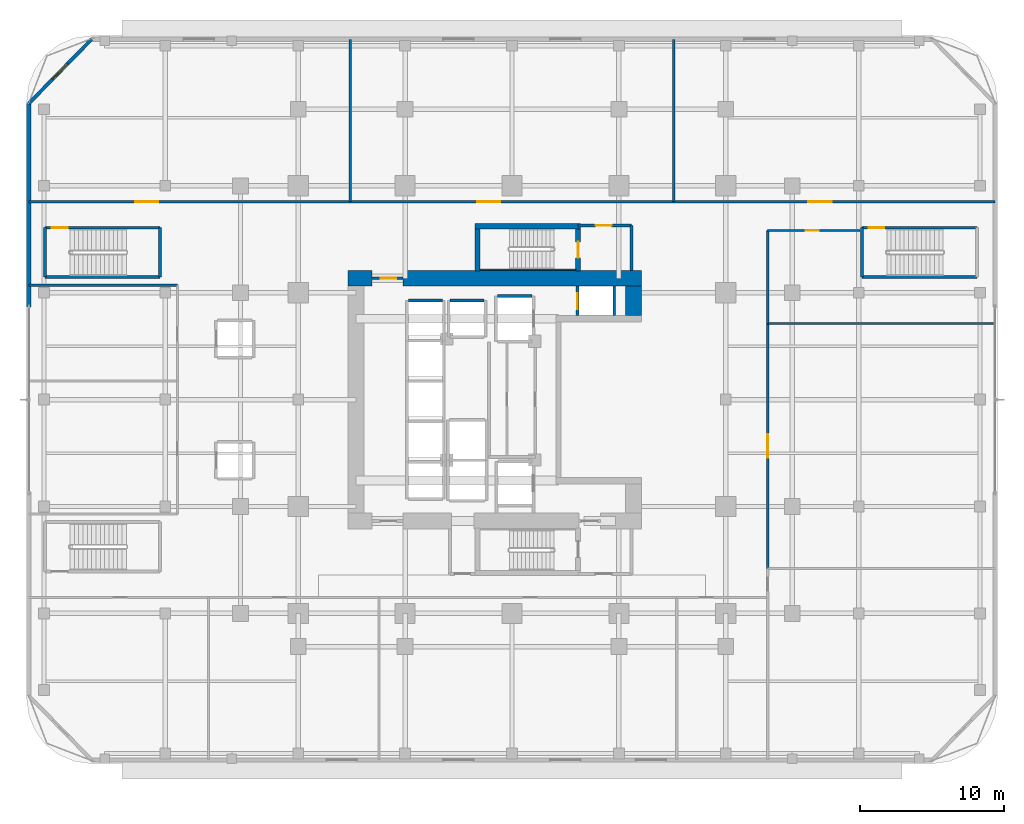
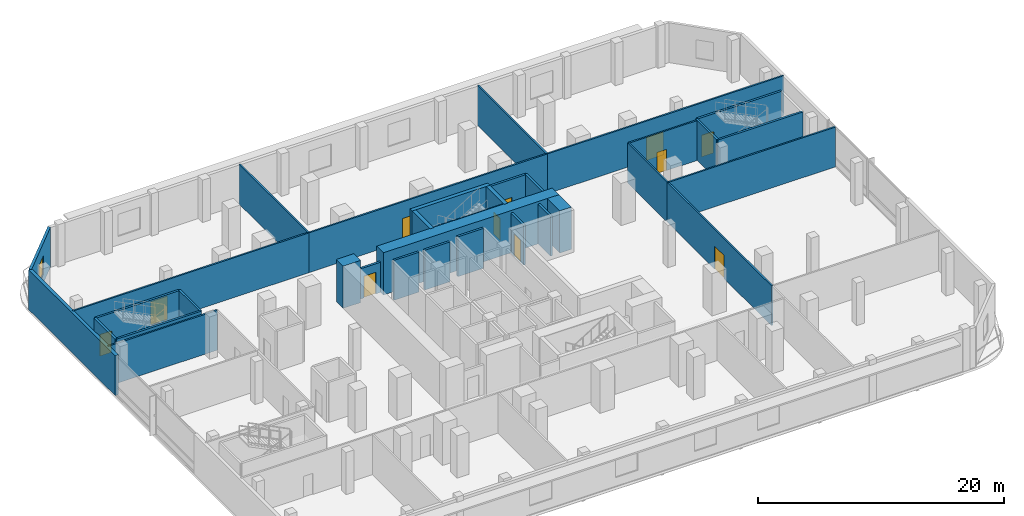
# One storey, part 10 of 19: 34 walls, 11 doors, 1 window, 12 openings.
"""IFC4 building model written with IfcOpenShell, lengths in metres."""

from ifc_helpers import new_model, si_unit, direction, frame, frame_2d, origin, place, context, subcontext, project, spatial, rectangle, extrude, material, layer, layer_set, type_object, element, fill, save


model = new_model("IFC4")

# Units and contexts
model_context = context("Model", 3, precision=1e-05, world=origin(), true_north=direction((0.0, 1.0)))
body_context = subcontext(model_context, "Body", "Model", "MODEL_VIEW")
ifc_project = project(units=[si_unit("LENGTHUNIT", "METRE"), si_unit("AREAUNIT", "SQUARE_METRE"), si_unit("VOLUMEUNIT", "CUBIC_METRE"), si_unit("PLANEANGLEUNIT", "RADIAN"), si_unit("MASSUNIT", "GRAM", prefix="KILO")], contexts=[model_context])

# Site, building, storey
site_placement = place(None, origin())
site = spatial("IfcSite", under=ifc_project, at=site_placement, CompositionType="ELEMENT")
building_placement = place(site_placement, origin())
building = spatial("IfcBuilding", under=site, at=building_placement, Name="Khorvyn Point Tower", CompositionType="ELEMENT")
storey_placement = place(building_placement, frame((0.0, 0.0, 17.39990234375)))
storey = spatial("IfcBuildingStorey", under=building, at=storey_placement, Name="L05", CompositionType="ELEMENT", Elevation=17.39990234375)

# Wall, opening, window
ifc_material_1 = material(Name="Pale anodised aluminium rainscreen on steel stud", Category="steel")
ifc_layer_1 = layer(ifc_material_1, 0.239990234375)
ifc_layer_set_1 = layer_set([ifc_layer_1], Name="Anodised Aluminium Insulated Corner Spandrel Wall 240")
wall_type_1 = type_object("IfcWallType", Name="Anodised Aluminium Insulated Corner Spandrel Wall 240", PredefinedType="SOLIDWALL", material=ifc_layer_set_1)
wall_1_placement = place(storey_placement, frame((-33.449951171875, 20.5, 0.0), z_axis=(0.0, 0.0, 1.0), x_axis=(0.69901822973, 0.715103848756, 0.0)))
wall_1 = element("IfcWall", 1, at=wall_1_placement, inside=storey, type_object=wall_type_1, Name="L05 Rounded Corner Wall NW", PredefinedType="SOLIDWALL", context=body_context, shape_type="SweptSolid", body=[
    extrude(rectangle(XDim=6.222900390625, YDim=0.239990234375, at=frame_2d((3.111328125, 0.0))), origin(), (0.0, 0.0, 1.0), 3.960205078125),
])
opening_1_placement = place(wall_1_placement, frame((2.361572265625, 0.0, 0.85009765625)))
opening_1 = element("IfcOpeningElement", 2, at=opening_1_placement, cuts=wall_1, Name="Opening WN-1518", PredefinedType="OPENING", context=body_context, shape_type="SweptSolid", body=[
    extrude(rectangle(XDim=1.5, YDim=1.85009765625, at=frame_2d((0.75, 0.925048828125))), frame((0.0, 0.1298828125, 0.0), z_axis=(0.0, -1.0, 0.0), x_axis=(1.0, 0.0, 0.0)), (0.0, 0.0, 1.0), 0.260009765625),
])
ifc_material_2 = material(Name="Anodised aluminium 6063-T6 and laminated Low-E glass", Category="aluminium")
window_type = type_object("IfcWindowType", Name="Anodised Aluminium Rounded-Corner Panoramic Window 1500x1850", PartitioningType="SINGLE_PANEL", PredefinedType="WINDOW", material=ifc_material_2)
window_placement = place(opening_1_placement, origin())
window = element("IfcWindow", 3, at=window_placement, inside=storey, type_object=window_type, Name="L05 Corner Window NW", OverallHeight=1.85009765625, OverallWidth=1.5, PartitioningType="SINGLE_PANEL", PredefinedType="WINDOW", context=body_context, shape_type="SweptSolid", body=[
    extrude(rectangle(XDim=1.5, YDim=1.85009765625, at=frame_2d((0.75, 0.925048828125))), frame((0.0, 0.030029296875, 0.0), z_axis=(0.0, -1.0, 0.0), x_axis=(1.0, 0.0, 0.0)), (0.0, 0.0, 1.0), 0.06005859375),
])
fill(opening_1, window)

# Wall, opening, door
ifc_material_3 = material(Name="Concrete C40/50", Category="concrete")
ifc_layer_2 = layer(ifc_material_3, 0.199951171875)
ifc_layer_set_2 = layer_set([ifc_layer_2], Name="Concrete C40/50 Fire-Lobby Compartment Wall 200")
wall_type_2 = type_object("IfcWallType", Name="Concrete C40/50 Fire-Lobby Compartment Wall 200", PredefinedType="SOLIDWALL", material=ifc_layer_set_2)
wall_2_placement = place(storey_placement, frame((4.580078125, 12.06005859375, 0.0), z_axis=(0.0, 0.0, 1.0), x_axis=(1.0, 0.0, 0.0)))
wall_2 = element("IfcWall", 4, at=wall_2_placement, inside=storey, type_object=wall_type_2, Name="Wall", PredefinedType="SOLIDWALL", context=body_context, shape_type="SweptSolid", body=[
    extrude(rectangle(XDim=3.699951171875, YDim=0.199951171875, at=frame_2d((1.85009765625, 0.0))), origin(), (0.0, 0.0, 1.0), 3.960205078125),
])
opening_2_placement = place(wall_2_placement, frame((1.21240234375, 0.0, 0.0)))
opening_2 = element("IfcOpeningElement", 5, at=opening_2_placement, cuts=wall_2, Name="Opening ID-FL90", PredefinedType="OPENING", context=body_context, shape_type="SweptSolid", body=[
    extrude(rectangle(XDim=1.10009765625, YDim=2.14990234375, at=frame_2d((0.550048828125, 1.074951171875))), frame((0.0, 0.10986328125, 0.0), z_axis=(0.0, -1.0, 0.0), x_axis=(1.0, 0.0, 0.0)), (0.0, 0.0, 1.0), 0.219970703125),
])
ifc_material_4 = material(Name="Galvanised powder-coated steel", Category="steel")
door_type_1 = type_object("IfcDoorType", Name="Fire-Rated Steel Lobby and Stair Door 1100x2150", OperationType="NOTDEFINED", PredefinedType="DOOR", material=ifc_material_4)
door_1_placement = place(opening_2_placement, origin())
door_1 = element("IfcDoor", 6, at=door_1_placement, inside=storey, type_object=door_type_1, Name="Door", OperationType="SINGLE_SWING_RIGHT", OverallHeight=2.14990234375, OverallWidth=1.10009765625, PredefinedType="DOOR", context=body_context, shape_type="SweptSolid", body=[
    extrude(rectangle(XDim=1.10009765625, YDim=2.14990234375, at=frame_2d((0.550048828125, 1.074951171875))), frame((0.0, 0.02490234375, 0.0), z_axis=(0.0, -1.0, 0.0), x_axis=(1.0, 0.0, 0.0)), (0.0, 0.0, 1.0), 0.050048828125),
])
fill(opening_2, door_1)

wall_3_placement = place(storey_placement, frame((-9.699951171875, 8.39990234375, 0.0), z_axis=(0.0, 0.0, 1.0), x_axis=(1.0, 0.0, 0.0)))
wall_3 = element("IfcWall", 7, at=wall_3_placement, inside=storey, type_object=wall_type_2, Name="Wall", PredefinedType="SOLIDWALL", context=body_context, shape_type="SweptSolid", body=[
    extrude(rectangle(XDim=2.14990234375, YDim=0.199951171875, at=frame_2d((1.074951171875, 0.0))), origin(), (0.0, 0.0, 1.0), 3.0),
])
opening_3_placement = place(wall_3_placement, frame((0.597900390625, 0.0, 0.0)))
opening_3 = element("IfcOpeningElement", 8, at=opening_3_placement, cuts=wall_3, Name="Opening ID-FL90", PredefinedType="OPENING", context=body_context, shape_type="SweptSolid", body=[
    extrude(rectangle(XDim=1.10009765625, YDim=2.14990234375, at=frame_2d((0.550048828125, 1.074951171875))), frame((0.0, 0.10986328125, 0.0), z_axis=(0.0, -1.0, 0.0), x_axis=(1.0, 0.0, 0.0)), (0.0, 0.0, 1.0), 0.219970703125),
])
door_2_placement = place(opening_3_placement, origin())
door_2 = element("IfcDoor", 9, at=door_2_placement, inside=storey, type_object=door_type_1, Name="Door", OperationType="SINGLE_SWING_RIGHT", OverallHeight=2.14990234375, OverallWidth=1.10009765625, PredefinedType="DOOR", context=body_context, shape_type="SweptSolid", body=[
    extrude(rectangle(XDim=1.10009765625, YDim=2.14990234375, at=frame_2d((0.550048828125, 1.074951171875))), frame((0.0, 0.02490234375, 0.0), z_axis=(0.0, -1.0, 0.0), x_axis=(1.0, 0.0, 0.0)), (0.0, 0.0, 1.0), 0.050048828125),
])
fill(opening_3, door_2)

# Walls
wall_4_placement = place(storey_placement, frame((8.280029296875, 8.949951171875, 0.0), z_axis=(0.0, 0.0, 1.0), x_axis=(0.0, 1.0, 0.0)))
element("IfcWall", 10, at=wall_4_placement, inside=storey, type_object=wall_type_2, Name="Wall", PredefinedType="SOLIDWALL", context=body_context, shape_type="SweptSolid", body=[
    extrude(rectangle(XDim=3.110107421875, YDim=0.199951171875, at=frame_2d((1.55517578125, 0.0))), origin(), (0.0, 0.0, 1.0), 3.960205078125),
])
ifc_layer_3 = layer(ifc_material_3, 0.25)
ifc_layer_set_3 = layer_set([ifc_layer_3], Name="Concrete C40/50 Stair Inner Cheek Structural Wall 250")
wall_type_3 = type_object("IfcWallType", Name="Concrete C40/50 Stair Inner Cheek Structural Wall 250", PredefinedType="SHEAR", material=ifc_layer_set_3)
wall_5_placement = place(storey_placement, frame((-2.199951171875, 8.987548828125, 0.0), z_axis=(0.0, 0.0, 1.0), x_axis=(1.0, 0.0, 0.0)))
element("IfcWall", 11, at=wall_5_placement, inside=storey, type_object=wall_type_3, Name="Wall", PredefinedType="SHEAR", context=body_context, shape_type="SweptSolid", body=[
    extrude(rectangle(XDim=6.599853515625, YDim=0.074951171875, at=frame_2d((3.2998046875, 0.0))), origin(), (0.0, 0.0, 1.0), 4.2001953125),
])
ifc_layer_4 = layer(ifc_material_3, 0.35009765625)
ifc_layer_set_4 = layer_set([ifc_layer_4], Name="Concrete C40/50 Stair Shaft Structural Wall 350")
wall_type_4 = type_object("IfcWallType", Name="Concrete C40/50 Stair Shaft Structural Wall 350", PredefinedType="SHEAR", material=ifc_layer_set_4)
wall_6_placement = place(storey_placement, frame((-2.554931640625, 12.0, 0.0), z_axis=(0.0, 0.0, 1.0), x_axis=(1.0, 0.0, 0.0)))
element("IfcWall", 12, at=wall_6_placement, inside=storey, type_object=wall_type_4, Name="L05 ST-02 North Shaft Wall", PredefinedType="SHEAR", context=body_context, shape_type="SweptSolid", body=[
    extrude(rectangle(XDim=7.309814453125, YDim=0.35009765625, at=frame_2d((3.65478515625, 0.0))), origin(), (0.0, 0.0, 1.0), 4.2001953125),
])
wall_7_placement = place(storey_placement, frame((-2.3798828125, 8.89990234375, 0.0), z_axis=(0.0, 0.0, 1.0), x_axis=(0.0, 1.0, 0.0)))
element("IfcWall", 13, at=wall_7_placement, inside=storey, type_object=wall_type_4, Name="L05 ST-02 West Shaft Wall", PredefinedType="SHEAR", context=body_context, shape_type="SweptSolid", body=[
    extrude(rectangle(XDim=2.925048828125, YDim=0.35009765625, at=frame_2d((1.46240234375, 0.0))), origin(), (0.0, 0.0, 1.0), 4.2001953125),
])

# Wall, opening, door
wall_8_placement = place(storey_placement, frame((4.580078125, 11.824951171875, 0.0), z_axis=(0.0, 0.0, 1.0), x_axis=(0.0, -1.0, 0.0)))
wall_8 = element("IfcWall", 14, at=wall_8_placement, inside=storey, type_object=wall_type_4, Name="L05 ST-02 East Landing Door Wall", PredefinedType="SHEAR", context=body_context, shape_type="SweptSolid", body=[
    extrude(rectangle(XDim=2.925048828125, YDim=0.35009765625, at=frame_2d((1.46240234375, 0.0))), origin(), (0.0, 0.0, 1.0), 4.2001953125),
])
opening_4_placement = place(wall_8_placement, frame((0.91259765625, 0.0, 0.0)))
opening_4 = element("IfcOpeningElement", 15, at=opening_4_placement, cuts=wall_8, Name="Opening ID-FL90", PredefinedType="OPENING", context=body_context, shape_type="SweptSolid", body=[
    extrude(rectangle(XDim=1.10009765625, YDim=2.14990234375, at=frame_2d((0.550048828125, 1.074951171875))), frame((0.0, 0.18505859375, 0.0), z_axis=(0.0, -1.0, 0.0), x_axis=(1.0, 0.0, 0.0)), (0.0, 0.0, 1.0), 0.3701171875),
])
door_3_placement = place(opening_4_placement, origin())
door_3 = element("IfcDoor", 16, at=door_3_placement, inside=storey, type_object=door_type_1, Name="L05 ST-02 Smokeproof Landing Door", OperationType="SINGLE_SWING_RIGHT", OverallHeight=2.14990234375, OverallWidth=1.10009765625, PredefinedType="DOOR", context=body_context, shape_type="SweptSolid", body=[
    extrude(rectangle(XDim=1.10009765625, YDim=2.14990234375, at=frame_2d((0.550048828125, 1.074951171875))), frame((0.0, 0.02490234375, 0.0), z_axis=(0.0, -1.0, 0.0), x_axis=(1.0, 0.0, 0.0)), (0.0, 0.0, 1.0), 0.050048828125),
])
fill(opening_4, door_3)

# Walls
ifc_layer_5 = layer(ifc_material_3, 0.199951171875)
ifc_layer_set_5 = layer_set([ifc_layer_5], Name="Concrete C40/50 Structural Hoistway and Stair Shaft Wall 200")
wall_type_5 = type_object("IfcWallType", Name="Concrete C40/50 Structural Hoistway and Stair Shaft Wall 200", PredefinedType="SHEAR", material=ifc_layer_set_5)
wall_9_placement = place(storey_placement, frame((-7.175048828125, 6.875, 0.0), z_axis=(0.0, 0.0, 1.0), x_axis=(1.0, 0.0, 0.0)))
element("IfcWall", 17, at=wall_9_placement, inside=storey, type_object=wall_type_5, Name="Wall", PredefinedType="SHEAR", context=body_context, shape_type="SweptSolid", body=[
    extrude(rectangle(XDim=2.35009765625, YDim=0.199951171875, at=frame_2d((1.175048828125, 0.0))), origin(), (0.0, 0.0, 1.0), 3.960205078125),
])
wall_10_placement = place(storey_placement, frame((-4.27490234375, 6.875, 0.0), z_axis=(0.0, 0.0, 1.0), x_axis=(1.0, 0.0, 0.0)))
element("IfcWall", 18, at=wall_10_placement, inside=storey, type_object=wall_type_5, Name="Wall", PredefinedType="SHEAR", context=body_context, shape_type="SweptSolid", body=[
    extrude(rectangle(XDim=2.349853515625, YDim=0.199951171875, at=frame_2d((1.1748046875, 0.0))), origin(), (0.0, 0.0, 1.0), 3.960205078125),
])
wall_11_placement = place(storey_placement, frame((-1.0, 7.175048828125, 0.0), z_axis=(0.0, 0.0, 1.0), x_axis=(1.0, 0.0, 0.0)))
element("IfcWall", 19, at=wall_11_placement, inside=storey, type_object=wall_type_5, Name="Wall", PredefinedType="SHEAR", context=body_context, shape_type="SweptSolid", body=[
    extrude(rectangle(XDim=2.39990234375, YDim=0.199951171875, at=frame_2d((1.199951171875, 0.0))), origin(), (0.0, 0.0, 1.0), 3.960205078125),
])

# Wall, opening, door
wall_12_placement = place(storey_placement, frame((4.52490234375, 5.824951171875, 0.0), z_axis=(0.0, 0.0, 1.0), x_axis=(0.0, 1.0, 0.0)))
wall_12 = element("IfcWall", 20, at=wall_12_placement, inside=storey, type_object=wall_type_5, Name="Wall", PredefinedType="SHEAR", context=body_context, shape_type="SweptSolid", body=[
    extrude(rectangle(XDim=2.025146484375, YDim=0.199951171875, at=frame_2d((1.0126953125, 0.0))), origin(), (0.0, 0.0, 1.0), 3.960205078125),
])
opening_5_placement = place(wall_12_placement, frame((0.425048828125, 0.0, 0.0)))
opening_5 = element("IfcOpeningElement", 21, at=opening_5_placement, cuts=wall_12, Name="Opening LD-1122", PredefinedType="OPENING", context=body_context, shape_type="SweptSolid", body=[
    extrude(rectangle(XDim=1.10009765625, YDim=2.199951171875, at=frame_2d((0.550048828125, 1.10009765625))), frame((0.0, 0.10986328125, 0.0), z_axis=(0.0, -1.0, 0.0), x_axis=(1.0, 0.0, 0.0)), (0.0, 0.0, 1.0), 0.219970703125),
])
ifc_material_5 = material(Name="Stainless steel 1.4301", Category="steel")
door_type_2 = type_object("IfcDoorType", Name="Stainless Steel Automatic Sliding Lift Landing Door 1100x2200", OperationType="SLIDING_TO_LEFT", PredefinedType="DOOR", material=ifc_material_5)
door_4_placement = place(opening_5_placement, origin())
door_4 = element("IfcDoor", 22, at=door_4_placement, inside=storey, type_object=door_type_2, Name="L05 FF-02 Sliding Lift Landing Door", OperationType="SLIDING_TO_LEFT", OverallHeight=2.199951171875, OverallWidth=1.10009765625, PredefinedType="DOOR", context=body_context, shape_type="SweptSolid", body=[
    extrude(rectangle(XDim=1.10009765625, YDim=2.199951171875, at=frame_2d((0.550048828125, 1.10009765625))), frame((0.0, 0.02490234375, 0.0), z_axis=(0.0, -1.0, 0.0), x_axis=(1.0, 0.0, 0.0)), (0.0, 0.0, 1.0), 0.050048828125),
])
fill(opening_5, door_4)

# Walls
wall_13_placement = place(storey_placement, frame((7.074951171875, 5.824951171875, 0.0), z_axis=(0.0, 0.0, 1.0), x_axis=(0.0, 1.0, 0.0)))
element("IfcWall", 23, at=wall_13_placement, inside=storey, type_object=wall_type_5, Name="Wall", PredefinedType="SHEAR", context=body_context, shape_type="SweptSolid", body=[
    extrude(rectangle(XDim=2.025146484375, YDim=0.199951171875, at=frame_2d((1.0126953125, 0.0))), origin(), (0.0, 0.0, 1.0), 3.960205078125),
])
for number, where, z_axis, x_axis, name in (
    (24, (-32.330078125, 8.47998046875, 0.0), (0.0, 0.0, 1.0), (0.0, 1.0, 0.0), "Wall"),
    (25, (-24.3701171875, 11.89990234375, 0.0), (0.0, 0.0, 1.0), (0.0, -1.0, 0.0), "Wall"),
):
    element("IfcWall", number, at=place(storey_placement, frame(where, z_axis=z_axis, x_axis=x_axis)), inside=storey, type_object=wall_type_5, Name=name, PredefinedType="SHEAR", context=body_context, shape_type="SweptSolid", body=[
        extrude(rectangle(XDim=3.419921875, YDim=0.199951171875, at=frame_2d((1.7099609375, 0.0))), origin(), (0.0, 0.0, 1.0), 3.960205078125),
    ])
wall_14_placement = place(storey_placement, frame((-24.3701171875, 8.47998046875, 0.0), z_axis=(0.0, 0.0, 1.0), x_axis=(-1.0, 0.0, 0.0)))
element("IfcWall", 26, at=wall_14_placement, inside=storey, type_object=wall_type_5, Name="Wall", PredefinedType="SHEAR", context=body_context, shape_type="SweptSolid", body=[
    extrude(rectangle(XDim=7.9599609375, YDim=0.199951171875, at=frame_2d((3.97998046875, 0.0))), origin(), (0.0, 0.0, 1.0), 3.960205078125),
])

# Wall, opening, door
wall_15_placement = place(storey_placement, frame((-32.330078125, 11.89990234375, 0.0), z_axis=(0.0, 0.0, 1.0), x_axis=(1.0, 0.0, 0.0)))
wall_15 = element("IfcWall", 27, at=wall_15_placement, inside=storey, type_object=wall_type_5, Name="Wall", PredefinedType="SHEAR", context=body_context, shape_type="SweptSolid", body=[
    extrude(rectangle(XDim=7.9599609375, YDim=0.199951171875, at=frame_2d((3.97998046875, 0.0))), origin(), (0.0, 0.0, 1.0), 3.960205078125),
])
opening_6_placement = place(wall_15_placement, frame((0.4599609375, 0.0, 0.0)))
opening_6 = element("IfcOpeningElement", 28, at=opening_6_placement, cuts=wall_15, Name="Opening ID-FL90", PredefinedType="OPENING", context=body_context, shape_type="SweptSolid", body=[
    extrude(rectangle(XDim=1.10009765625, YDim=2.14990234375, at=frame_2d((0.550048828125, 1.074951171875))), frame((0.0, 0.10986328125, 0.0), z_axis=(0.0, -1.0, 0.0), x_axis=(1.0, 0.0, 0.0)), (0.0, 0.0, 1.0), 0.219970703125),
])
door_5_placement = place(opening_6_placement, origin())
door_5 = element("IfcDoor", 29, at=door_5_placement, inside=storey, type_object=door_type_1, Name="L05 ST-S2 Smokeproof Landing Door", OperationType="SINGLE_SWING_RIGHT", OverallHeight=2.14990234375, OverallWidth=1.10009765625, PredefinedType="DOOR", context=body_context, shape_type="SweptSolid", body=[
    extrude(rectangle(XDim=1.10009765625, YDim=2.14990234375, at=frame_2d((0.550048828125, 1.074951171875))), frame((0.0, 0.02490234375, 0.0), z_axis=(0.0, -1.0, 0.0), x_axis=(1.0, 0.0, 0.0)), (0.0, 0.0, 1.0), 0.050048828125),
])
fill(opening_6, door_5)

# Walls
wall_16_placement = place(storey_placement, frame((24.219970703125, 8.47998046875, 0.0), z_axis=(0.0, 0.0, 1.0), x_axis=(0.0, 1.0, 0.0)))
element("IfcWall", 30, at=wall_16_placement, inside=storey, type_object=wall_type_5, Name="Wall", PredefinedType="SHEAR", context=body_context, shape_type="SweptSolid", body=[
    extrude(rectangle(XDim=3.419921875, YDim=0.199951171875, at=frame_2d((1.7099609375, 0.0))), origin(), (0.0, 0.0, 1.0), 3.960205078125),
])
wall_17_placement = place(storey_placement, frame((32.179931640625, 8.47998046875, 0.0), z_axis=(0.0, 0.0, 1.0), x_axis=(-1.0, 0.0, 0.0)))
element("IfcWall", 31, at=wall_17_placement, inside=storey, type_object=wall_type_5, Name="Wall", PredefinedType="SHEAR", context=body_context, shape_type="SweptSolid", body=[
    extrude(rectangle(XDim=7.9599609375, YDim=0.199951171875, at=frame_2d((3.97998046875, 0.0))), origin(), (0.0, 0.0, 1.0), 3.960205078125),
])

# Wall, opening, door
wall_18_placement = place(storey_placement, frame((24.219970703125, 11.89990234375, 0.0), z_axis=(0.0, 0.0, 1.0), x_axis=(1.0, 0.0, 0.0)))
wall_18 = element("IfcWall", 32, at=wall_18_placement, inside=storey, type_object=wall_type_5, Name="Wall", PredefinedType="SHEAR", context=body_context, shape_type="SweptSolid", body=[
    extrude(rectangle(XDim=7.9599609375, YDim=0.199951171875, at=frame_2d((3.97998046875, 0.0))), origin(), (0.0, 0.0, 1.0), 3.960205078125),
])
opening_7_placement = place(wall_18_placement, frame((0.4599609375, 0.0, 0.0)))
opening_7 = element("IfcOpeningElement", 33, at=opening_7_placement, cuts=wall_18, Name="Opening ID-FL90", PredefinedType="OPENING", context=body_context, shape_type="SweptSolid", body=[
    extrude(rectangle(XDim=1.10009765625, YDim=2.14990234375, at=frame_2d((0.550048828125, 1.074951171875))), frame((0.0, 0.10986328125, 0.0), z_axis=(0.0, -1.0, 0.0), x_axis=(1.0, 0.0, 0.0)), (0.0, 0.0, 1.0), 0.219970703125),
])
door_6_placement = place(opening_7_placement, origin())
door_6 = element("IfcDoor", 34, at=door_6_placement, inside=storey, type_object=door_type_1, Name="L05 ST-S3 Smokeproof Landing Door", OperationType="SINGLE_SWING_RIGHT", OverallHeight=2.14990234375, OverallWidth=1.10009765625, PredefinedType="DOOR", context=body_context, shape_type="SweptSolid", body=[
    extrude(rectangle(XDim=1.10009765625, YDim=2.14990234375, at=frame_2d((0.550048828125, 1.074951171875))), frame((0.0, 0.02490234375, 0.0), z_axis=(0.0, -1.0, 0.0), x_axis=(1.0, 0.0, 0.0)), (0.0, 0.0, 1.0), 0.050048828125),
])
fill(opening_7, door_6)

# Walls
ifc_material_6 = material(Name="Concrete C50/60", Category="concrete")
ifc_layer_6 = layer(ifc_material_6, 1.10009765625)
ifc_layer_set_6 = layer_set([ifc_layer_6], Name="Concrete C50/60 Core Shear Wall 1100")
wall_type_6 = type_object("IfcWallType", Name="Concrete C50/60 Core Shear Wall 1100", PredefinedType="SHEAR", material=ifc_layer_set_6)
wall_19_placement = place(storey_placement, frame((-11.35009765625, 8.39990234375, 0.0), z_axis=(0.0, 0.0, 1.0), x_axis=(1.0, 0.0, 0.0)))
element("IfcWall", 35, at=wall_19_placement, inside=storey, type_object=wall_type_6, Name="Wall", PredefinedType="SHEAR", context=body_context, shape_type="SweptSolid", body=[
    extrude(rectangle(XDim=1.650146484375, YDim=1.10009765625, at=frame_2d((0.8251953125, 0.0))), origin(), (0.0, 0.0, 1.0), 4.2001953125),
])
wall_20_placement = place(storey_placement, frame((-7.550048828125, 8.39990234375, 0.0), z_axis=(0.0, 0.0, 1.0), x_axis=(1.0, 0.0, 0.0)))
element("IfcWall", 36, at=wall_20_placement, inside=storey, type_object=wall_type_6, Name="Wall", PredefinedType="SHEAR", context=body_context, shape_type="SweptSolid", body=[
    extrude(rectangle(XDim=16.5, YDim=1.10009765625, at=frame_2d((8.25, 0.0))), origin(), (0.0, 0.0, 1.0), 4.2001953125),
])
wall_21_placement = place(storey_placement, frame((8.39990234375, 5.824951171875, 0.0), z_axis=(0.0, 0.0, 1.0), x_axis=(0.0, 1.0, 0.0)))
element("IfcWall", 37, at=wall_21_placement, inside=storey, type_object=wall_type_6, Name="Wall", PredefinedType="SHEAR", context=body_context, shape_type="SweptSolid", body=[
    extrude(rectangle(XDim=2.025146484375, YDim=1.10009765625, at=frame_2d((1.0126953125, 0.0))), origin(), (0.0, 0.0, 1.0), 4.2001953125),
])

# Wall, opening, door
ifc_material_7 = material(Name="Moisture-resistant gypsum and cement board", Category="gypsum")
ifc_layer_7 = layer(ifc_material_7, 0.14990234375)
ifc_layer_set_7 = layer_set([ifc_layer_7], Name="Moisture-Resistant Wet-Room Partition Wall 150")
wall_type_7 = type_object("IfcWallType", Name="Moisture-Resistant Wet-Room Partition Wall 150", PredefinedType="PARTITIONING", material=ifc_layer_set_7)
wall_22_placement = place(storey_placement, frame((-33.419921875, 13.699951171875, 0.0), z_axis=(0.0, 0.0, 1.0), x_axis=(1.0, 0.0, 0.0)))
wall_22 = element("IfcWall", 38, at=wall_22_placement, inside=storey, type_object=wall_type_7, Name="Wall", PredefinedType="PARTITIONING", context=body_context, shape_type="SweptSolid", body=[
    extrude(rectangle(XDim=22.219970703125, YDim=0.14990234375, at=frame_2d((11.10986328125, 0.0))), origin(), (0.0, 0.0, 1.0), 3.960205078125),
])
opening_8_placement = place(wall_22_placement, frame((7.345703125, 0.0, 0.0)))
opening_8 = element("IfcOpeningElement", 39, at=opening_8_placement, cuts=wall_22, Name="Opening ID-LB30", PredefinedType="OPENING", context=body_context, shape_type="SweptSolid", body=[
    extrude(rectangle(XDim=1.60009765625, YDim=2.300048828125, at=frame_2d((0.800048828125, 1.14990234375))), frame((0.0, 0.0849609375, 0.0), z_axis=(0.0, -1.0, 0.0), x_axis=(1.0, 0.0, 0.0)), (0.0, 0.0, 1.0), 0.169921875),
])
ifc_material_8 = material(Name="Anodised aluminium 6063-T6 and tempered glass", Category="aluminium")
door_type_3 = type_object("IfcDoorType", Name="Glazed Aluminium Sky-Lobby Double Swing Door 1600x2300", OperationType="DOUBLE_DOOR_SINGLE_SWING", PredefinedType="DOOR", material=ifc_material_8)
door_7_placement = place(opening_8_placement, origin())
door_7 = element("IfcDoor", 40, at=door_7_placement, inside=storey, type_object=door_type_3, Name="Door", OperationType="SINGLE_SWING_LEFT", OverallHeight=2.300048828125, OverallWidth=1.60009765625, PredefinedType="DOOR", context=body_context, shape_type="SweptSolid", body=[
    extrude(rectangle(XDim=1.60009765625, YDim=2.300048828125, at=frame_2d((0.800048828125, 1.14990234375))), frame((0.0, 0.02490234375, 0.0), z_axis=(0.0, -1.0, 0.0), x_axis=(1.0, 0.0, 0.0)), (0.0, 0.0, 1.0), 0.050048828125),
])
fill(opening_8, door_7)

wall_23_placement = place(storey_placement, frame((-11.199951171875, 13.699951171875, 0.0), z_axis=(0.0, 0.0, 1.0), x_axis=(1.0, 0.0, 0.0)))
wall_23 = element("IfcWall", 41, at=wall_23_placement, inside=storey, type_object=wall_type_7, Name="Wall", PredefinedType="PARTITIONING", context=body_context, shape_type="SweptSolid", body=[
    extrude(rectangle(XDim=22.39990234375, YDim=0.14990234375, at=frame_2d((11.199951171875, 0.0))), origin(), (0.0, 0.0, 1.0), 3.960205078125),
])
opening_9_placement = place(wall_23_placement, frame((8.783203125, 0.0, 0.0)))
opening_9 = element("IfcOpeningElement", 42, at=opening_9_placement, cuts=wall_23, Name="Opening ID-LB30", PredefinedType="OPENING", context=body_context, shape_type="SweptSolid", body=[
    extrude(rectangle(XDim=1.60009765625, YDim=2.300048828125, at=frame_2d((0.800048828125, 1.14990234375))), frame((0.0, 0.0849609375, 0.0), z_axis=(0.0, -1.0, 0.0), x_axis=(1.0, 0.0, 0.0)), (0.0, 0.0, 1.0), 0.169921875),
])
door_8_placement = place(opening_9_placement, origin())
door_8 = element("IfcDoor", 43, at=door_8_placement, inside=storey, type_object=door_type_3, Name="Door", OperationType="SINGLE_SWING_LEFT", OverallHeight=2.300048828125, OverallWidth=1.60009765625, PredefinedType="DOOR", context=body_context, shape_type="SweptSolid", body=[
    extrude(rectangle(XDim=1.60009765625, YDim=2.300048828125, at=frame_2d((0.800048828125, 1.14990234375))), frame((0.0, 0.02490234375, 0.0), z_axis=(0.0, -1.0, 0.0), x_axis=(1.0, 0.0, 0.0)), (0.0, 0.0, 1.0), 0.050048828125),
])
fill(opening_9, door_8)

wall_24_placement = place(storey_placement, frame((11.199951171875, 13.699951171875, 0.0), z_axis=(0.0, 0.0, 1.0), x_axis=(1.0, 0.0, 0.0)))
wall_24 = element("IfcWall", 44, at=wall_24_placement, inside=storey, type_object=wall_type_7, Name="Wall", PredefinedType="PARTITIONING", context=body_context, shape_type="SweptSolid", body=[
    extrude(rectangle(XDim=22.219970703125, YDim=0.14990234375, at=frame_2d((11.10986328125, 0.0))), origin(), (0.0, 0.0, 1.0), 3.960205078125),
])
opening_10_placement = place(wall_24_placement, frame((9.322021484375, 0.0, 0.0)))
opening_10 = element("IfcOpeningElement", 45, at=opening_10_placement, cuts=wall_24, Name="Opening ID-LB30", PredefinedType="OPENING", context=body_context, shape_type="SweptSolid", body=[
    extrude(rectangle(XDim=1.60009765625, YDim=2.300048828125, at=frame_2d((0.800048828125, 1.14990234375))), frame((0.0, 0.0849609375, 0.0), z_axis=(0.0, -1.0, 0.0), x_axis=(1.0, 0.0, 0.0)), (0.0, 0.0, 1.0), 0.169921875),
])
door_9_placement = place(opening_10_placement, origin())
door_9 = element("IfcDoor", 46, at=door_9_placement, inside=storey, type_object=door_type_3, Name="Door", OperationType="SINGLE_SWING_LEFT", OverallHeight=2.300048828125, OverallWidth=1.60009765625, PredefinedType="DOOR", context=body_context, shape_type="SweptSolid", body=[
    extrude(rectangle(XDim=1.60009765625, YDim=2.300048828125, at=frame_2d((0.800048828125, 1.14990234375))), frame((0.0, 0.02490234375, 0.0), z_axis=(0.0, -1.0, 0.0), x_axis=(1.0, 0.0, 0.0)), (0.0, 0.0, 1.0), 0.050048828125),
])
fill(opening_10, door_9)

wall_25_placement = place(storey_placement, frame((17.699951171875, 11.699951171875, 0.0), z_axis=(0.0, 0.0, 1.0), x_axis=(1.0, 0.0, 0.0)))
wall_25 = element("IfcWall", 47, at=wall_25_placement, inside=storey, type_object=wall_type_7, Name="Wall", PredefinedType="PARTITIONING", context=body_context, shape_type="SweptSolid", body=[
    extrude(rectangle(XDim=6.380126953125, YDim=0.14990234375, at=frame_2d((3.18994140625, 0.0))), origin(), (0.0, 0.0, 1.0), 3.960205078125),
])
opening_11_placement = place(wall_25_placement, frame((2.65087890625, 0.0, 0.0)))
opening_11 = element("IfcOpeningElement", 48, at=opening_11_placement, cuts=wall_25, Name="Opening ID-RM90", PredefinedType="OPENING", context=body_context, shape_type="SweptSolid", body=[
    extrude(rectangle(XDim=0.89990234375, YDim=2.10009765625, at=frame_2d((0.449951171875, 1.050048828125))), frame((0.0, 0.0849609375, 0.0), z_axis=(0.0, -1.0, 0.0), x_axis=(1.0, 0.0, 0.0)), (0.0, 0.0, 1.0), 0.169921875),
])
ifc_material_9 = material(Name="Engineered oak veneer timber", Category="wood")
door_type_4 = type_object("IfcDoorType", Name="Flush Engineered Timber Room Door 900x2100", OperationType="NOTDEFINED", PredefinedType="DOOR", material=ifc_material_9)
door_10_placement = place(opening_11_placement, origin())
door_10 = element("IfcDoor", 49, at=door_10_placement, inside=storey, type_object=door_type_4, Name="Door", OperationType="SINGLE_SWING_LEFT", OverallHeight=2.10009765625, OverallWidth=0.89990234375, PredefinedType="DOOR", context=body_context, shape_type="SweptSolid", body=[
    extrude(rectangle(XDim=0.89990234375, YDim=2.10009765625, at=frame_2d((0.449951171875, 1.050048828125))), frame((0.0, 0.02490234375, 0.0), z_axis=(0.0, -1.0, 0.0), x_axis=(1.0, 0.0, 0.0)), (0.0, 0.0, 1.0), 0.050048828125),
])
fill(opening_11, door_10)

wall_26_placement = place(storey_placement, frame((17.699951171875, -11.699951171875, 0.0), z_axis=(0.0, 0.0, 1.0), x_axis=(0.0, 1.0, 0.0)))
wall_26 = element("IfcWall", 50, at=wall_26_placement, inside=storey, type_object=wall_type_7, Name="Wall", PredefinedType="PARTITIONING", context=body_context, shape_type="SweptSolid", body=[
    extrude(rectangle(XDim=16.97998046875, YDim=0.14990234375, at=frame_2d((8.489990234375, 0.0))), origin(), (0.0, 0.0, 1.0), 3.960205078125),
])
opening_12_placement = place(wall_26_placement, frame((7.68994140625, 0.0, 0.0)))
opening_12 = element("IfcOpeningElement", 51, at=opening_12_placement, cuts=wall_26, Name="Opening ID-LB30", PredefinedType="OPENING", context=body_context, shape_type="SweptSolid", body=[
    extrude(rectangle(XDim=1.60009765625, YDim=2.300048828125, at=frame_2d((0.800048828125, 1.14990234375))), frame((0.0, 0.0849609375, 0.0), z_axis=(0.0, -1.0, 0.0), x_axis=(1.0, 0.0, 0.0)), (0.0, 0.0, 1.0), 0.169921875),
])
door_11_placement = place(opening_12_placement, origin())
door_11 = element("IfcDoor", 52, at=door_11_placement, inside=storey, type_object=door_type_3, Name="Door", OperationType="SINGLE_SWING_LEFT", OverallHeight=2.300048828125, OverallWidth=1.60009765625, PredefinedType="DOOR", context=body_context, shape_type="SweptSolid", body=[
    extrude(rectangle(XDim=1.60009765625, YDim=2.300048828125, at=frame_2d((0.800048828125, 1.14990234375))), frame((0.0, 0.02490234375, 0.0), z_axis=(0.0, -1.0, 0.0), x_axis=(1.0, 0.0, 0.0)), (0.0, 0.0, 1.0), 0.050048828125),
])
fill(opening_12, door_11)

# Walls
for number, where, z_axis, x_axis, name in (
    (53, (-11.199951171875, 13.699951171875, 0.0), (0.0, 0.0, 1.0), (0.0, 1.0, 0.0), "Wall"),
    (54, (11.199951171875, 13.699951171875, 0.0), (0.0, 0.0, 1.0), (0.0, 1.0, 0.0), "Wall"),
):
    element("IfcWall", number, at=place(storey_placement, frame(where, z_axis=z_axis, x_axis=x_axis)), inside=storey, type_object=wall_type_7, Name=name, PredefinedType="PARTITIONING", context=body_context, shape_type="SweptSolid", body=[
        extrude(rectangle(XDim=11.219970703125, YDim=0.14990234375, at=frame_2d((5.60986328125, 0.0))), origin(), (0.0, 0.0, 1.0), 3.960205078125),
    ])
wall_27_placement = place(storey_placement, frame((-33.419921875, 7.919921875, 0.0), z_axis=(0.0, 0.0, 1.0), x_axis=(1.0, 0.0, 0.0)))
element("IfcWall", 55, at=wall_27_placement, inside=storey, type_object=wall_type_7, Name="Wall", PredefinedType="PARTITIONING", context=body_context, shape_type="SweptSolid", body=[
    extrude(rectangle(XDim=10.260009765625, YDim=0.14990234375, at=frame_2d((5.1298828125, 0.0))), origin(), (0.0, 0.0, 1.0), 3.960205078125),
])
wall_28_placement = place(storey_placement, frame((17.699951171875, 5.280029296875, 0.0), z_axis=(0.0, 0.0, 1.0), x_axis=(1.0, 0.0, 0.0)))
element("IfcWall", 56, at=wall_28_placement, inside=storey, type_object=wall_type_7, Name="Wall", PredefinedType="PARTITIONING", context=body_context, shape_type="SweptSolid", body=[
    extrude(rectangle(XDim=15.719970703125, YDim=0.14990234375, at=frame_2d((7.85986328125, 0.0))), origin(), (0.0, 0.0, 1.0), 3.960205078125),
])
wall_29_placement = place(storey_placement, frame((17.699951171875, 5.280029296875, 0.0), z_axis=(0.0, 0.0, 1.0), x_axis=(0.0, 1.0, 0.0)))
element("IfcWall", 57, at=wall_29_placement, inside=storey, type_object=wall_type_7, Name="Wall", PredefinedType="PARTITIONING", context=body_context, shape_type="SweptSolid", body=[
    extrude(rectangle(XDim=6.419921875, YDim=0.14990234375, at=frame_2d((3.2099609375, 0.0))), origin(), (0.0, 0.0, 1.0), 3.960205078125),
])
ifc_material_10 = material(Name="Precast concrete C35/45", Category="concrete")
ifc_layer_8 = layer(ifc_material_10, 0.300048828125)
ifc_layer_set_8 = layer_set([ifc_layer_8], Name="Precast Concrete C35/45 Insulated Podium Facade Wall 300")
wall_type_8 = type_object("IfcWallType", Name="Precast Concrete C35/45 Insulated Podium Facade Wall 300", PredefinedType="SOLIDWALL", material=ifc_layer_set_8)
wall_30_placement = place(storey_placement, frame((-33.449951171875, 6.409912109375, 0.0), z_axis=(0.0, 0.0, 1.0), x_axis=(0.0, 1.0, 0.0)))
element("IfcWall", 58, at=wall_30_placement, inside=storey, type_object=wall_type_8, Name="Wall", PredefinedType="SOLIDWALL", context=body_context, shape_type="SweptSolid", body=[
    extrude(rectangle(XDim=14.090087890625, YDim=0.300048828125, at=frame_2d((7.044921875, 0.0))), origin(), (0.0, 0.0, 1.0), 3.960205078125),
])

save(model, "model.ifc")
